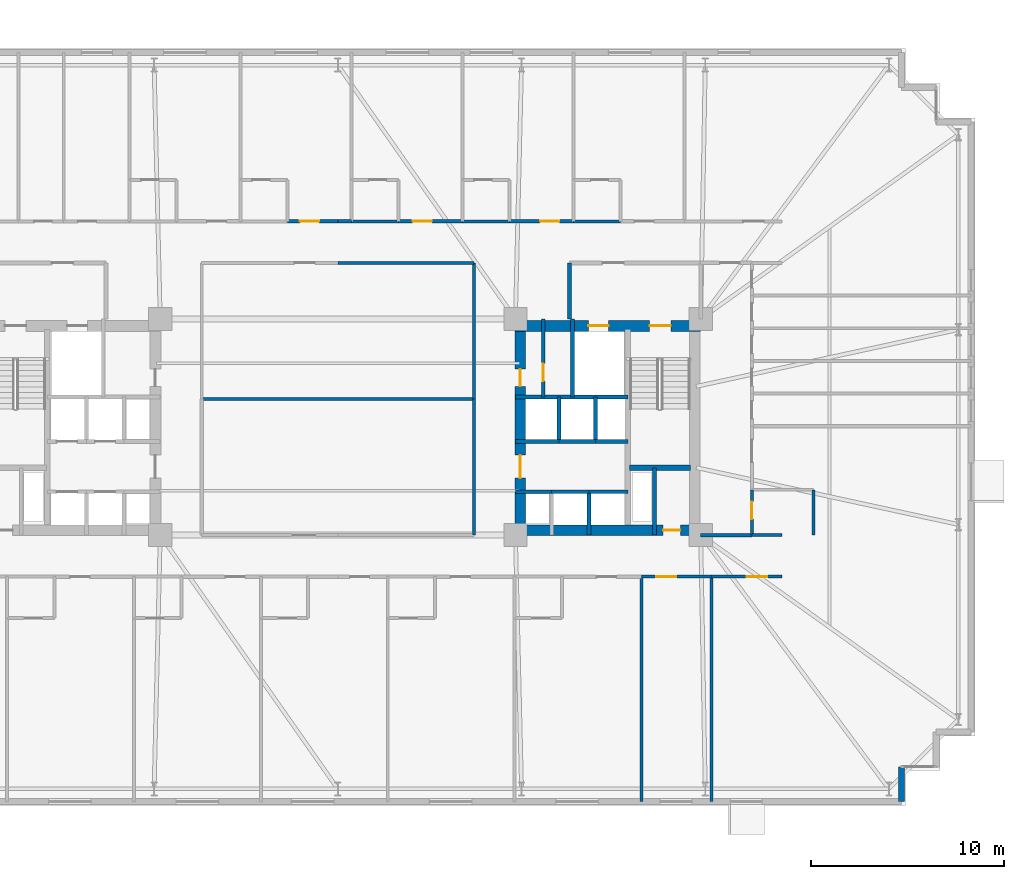
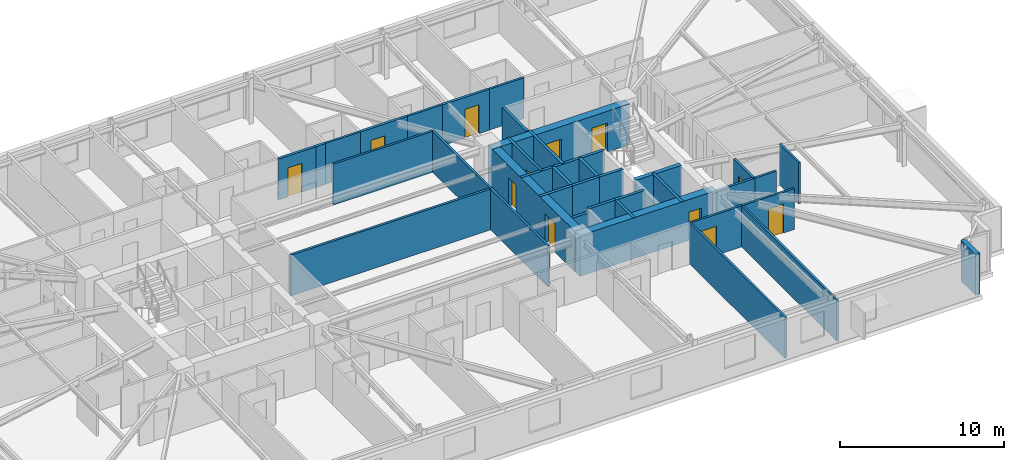
# One storey, part 17 of 21: 38 walls, 12 doors, 12 openings.
"""IFC4 building model written with IfcOpenShell, lengths in metres."""

from ifc_helpers import new_model, si_unit, direction, frame, frame_2d, origin, place, context, subcontext, project, spatial, rectangle, extrude, material, layer, layer_set, type_object, element, fill, save


model = new_model("IFC4")

# Units and contexts
model_context = context("Model", 3, precision=1e-05, world=origin(), true_north=direction((0.0, 1.0)))
body_context = subcontext(model_context, "Body", "Model", "MODEL_VIEW")
ifc_project = project(units=[si_unit("LENGTHUNIT", "METRE"), si_unit("AREAUNIT", "SQUARE_METRE"), si_unit("VOLUMEUNIT", "CUBIC_METRE"), si_unit("PLANEANGLEUNIT", "RADIAN"), si_unit("MASSUNIT", "GRAM", prefix="KILO")], contexts=[model_context])

# Site, building, storey
site_placement = place(None, origin())
site = spatial("IfcSite", under=ifc_project, at=site_placement, CompositionType="ELEMENT")
building_placement = place(site_placement, origin())
building = spatial("IfcBuilding", under=site, at=building_placement, Name="Qobustan Lattice House", CompositionType="ELEMENT")
storey_placement = place(building_placement, frame((0.0, 0.0, 57.14990234375)))
storey = spatial("IfcBuildingStorey", under=building, at=storey_placement, Name="L15", CompositionType="ELEMENT", Elevation=57.14990234375)

# Wall, openings, doors
ifc_material_1 = material(Name="Concrete C60/75", Category="concrete")
ifc_layer_1 = layer(ifc_material_1, 0.56005859375)
ifc_layer_set_1 = layer_set([ifc_layer_1], Name="Concrete C60/75")
wall_type_1 = type_object("IfcWallType", Name="WAL-CORE-600", PredefinedType="SHEAR", material=ifc_layer_set_1)
wall_1_placement = place(storey_placement, frame((9.199951171875, 5.239990234375, 0.0), z_axis=(0.0, 0.0, 1.0), x_axis=(1.0, 0.0, 0.0)))
wall_1 = element("IfcWall", 1, at=wall_1_placement, inside=storey, type_object=wall_type_1, Name="L15 split-core shear wall CE-N", PredefinedType="SHEAR", context=body_context, shape_type="SweptSolid", body=[
    extrude(rectangle(XDim=9.60009765625, YDim=0.56005859375, at=frame_2d((4.800048828125, 0.0))), origin(), (0.0, 0.0, 1.0), 3.03515625),
])
opening_1_placement = place(wall_1_placement, frame((6.949951171875, 0.0, 0.0)))
opening_1 = element("IfcOpeningElement", 2, at=opening_1_placement, cuts=wall_1, Name="Opening SD-01", PredefinedType="OPENING", context=body_context, shape_type="SweptSolid", body=[
    extrude(rectangle(XDim=1.10009765625, YDim=2.14990234375, at=frame_2d((0.550048828125, 1.074951171875))), frame((0.0, 0.2900390625, 0.0), z_axis=(0.0, -1.0, 0.0), x_axis=(1.0, 0.0, 0.0)), (0.0, 0.0, 1.0), 0.580078125),
])
opening_2_placement = place(wall_1_placement, frame((3.77490234375, 0.0, 0.0)))
opening_2 = element("IfcOpeningElement", 3, at=opening_2_placement, cuts=wall_1, Name="Opening LD-01", PredefinedType="OPENING", context=body_context, shape_type="SweptSolid", body=[
    extrude(rectangle(XDim=1.050048828125, YDim=2.10009765625, at=frame_2d((0.52490234375, 1.050048828125))), frame((0.0, 0.2900390625, 0.0), z_axis=(0.0, -1.0, 0.0), x_axis=(1.0, 0.0, 0.0)), (0.0, 0.0, 1.0), 0.580078125),
])
ifc_material_2 = material(Name="Persian walnut timber and steel frame door", Category="steel")
door_type_1 = type_object("IfcDoorType", Name="DOR-LIFT-LD-1050x2100", OperationType="NOTDEFINED", PredefinedType="DOOR", material=ifc_material_2)
door_1_placement = place(opening_2_placement, origin())
door_1 = element("IfcDoor", 4, at=door_1_placement, inside=storey, type_object=door_type_1, Name="L15 firefighting lift FF-E landing door", OperationType="DOUBLE_DOOR_SLIDING", OverallHeight=2.10009765625, OverallWidth=1.050048828125, PredefinedType="DOOR", context=body_context, shape_type="SweptSolid", body=[
    extrude(rectangle(XDim=1.050048828125, YDim=2.10009765625, at=frame_2d((0.52490234375, 1.050048828125))), frame((0.0, 0.02490234375, 0.0), z_axis=(0.0, -1.0, 0.0), x_axis=(1.0, 0.0, 0.0)), (0.0, 0.0, 1.0), 0.050048828125),
])
fill(opening_2, door_1)
ifc_material_3 = material(Name="Persian walnut timber and steel frame door", Category="steel")
door_type_2 = type_object("IfcDoorType", Name="DOR-STAIR-FD-1100x2150", OperationType="NOTDEFINED", PredefinedType="DOOR", material=ifc_material_3)
door_2_placement = place(opening_1_placement, origin())
door_2 = element("IfcDoor", 5, at=door_2_placement, inside=storey, type_object=door_type_2, Name="L15 exit stair ST-E1 fire door", OperationType="SINGLE_SWING_LEFT", OverallHeight=2.14990234375, OverallWidth=1.10009765625, PredefinedType="DOOR", context=body_context, shape_type="SweptSolid", body=[
    extrude(rectangle(XDim=1.10009765625, YDim=2.14990234375, at=frame_2d((0.550048828125, 1.074951171875))), frame((0.0, 0.02490234375, 0.0), z_axis=(0.0, -1.0, 0.0), x_axis=(1.0, 0.0, 0.0)), (0.0, 0.0, 1.0), 0.050048828125),
])
fill(opening_1, door_2)

# Wall, opening, door
wall_2_placement = place(storey_placement, frame((9.199951171875, -5.35009765625, 0.0), z_axis=(0.0, 0.0, 1.0), x_axis=(1.0, 0.0, 0.0)))
wall_2 = element("IfcWall", 6, at=wall_2_placement, inside=storey, type_object=wall_type_1, Name="L15 split-core shear wall CE-S", PredefinedType="SHEAR", context=body_context, shape_type="SweptSolid", body=[
    extrude(rectangle(XDim=9.60009765625, YDim=0.56005859375, at=frame_2d((4.800048828125, 0.0))), origin(), (0.0, 0.0, 1.0), 3.03515625),
])
opening_3_placement = place(wall_2_placement, frame((7.64990234375, 0.0, 0.0)))
opening_3 = element("IfcOpeningElement", 7, at=opening_3_placement, cuts=wall_2, Name="Opening RD-01", PredefinedType="OPENING", context=body_context, shape_type="SweptSolid", body=[
    extrude(rectangle(XDim=0.89990234375, YDim=2.10009765625, at=frame_2d((0.449951171875, 1.050048828125))), frame((0.0, 0.2900390625, 0.0), z_axis=(0.0, -1.0, 0.0), x_axis=(1.0, 0.0, 0.0)), (0.0, 0.0, 1.0), 0.580078125),
])
ifc_material_4 = material(Name="Persian walnut timber and steel frame door", Category="steel")
door_type_3 = type_object("IfcDoorType", Name="DOR-RISER-FD-900x2100", OperationType="NOTDEFINED", PredefinedType="DOOR", material=ifc_material_4)
door_3_placement = place(opening_3_placement, origin())
door_3 = element("IfcDoor", 8, at=door_3_placement, inside=storey, type_object=door_type_3, Name="L15 core service riser access door E", OperationType="SINGLE_SWING_LEFT", OverallHeight=2.10009765625, OverallWidth=0.89990234375, PredefinedType="DOOR", context=body_context, shape_type="SweptSolid", body=[
    extrude(rectangle(XDim=0.89990234375, YDim=2.10009765625, at=frame_2d((0.449951171875, 1.050048828125))), frame((0.0, 0.02490234375, 0.0), z_axis=(0.0, -1.0, 0.0), x_axis=(1.0, 0.0, 0.0)), (0.0, 0.0, 1.0), 0.050048828125),
])
fill(opening_3, door_3)

# Wall, openings, doors
wall_3_placement = place(storey_placement, frame((9.449951171875, -5.050048828125, 0.0), z_axis=(0.0, 0.0, 1.0), x_axis=(0.0, 1.0, 0.0)))
wall_3 = element("IfcWall", 9, at=wall_3_placement, inside=storey, type_object=wall_type_1, Name="L15 split-core shear wall CE-W", PredefinedType="SHEAR", context=body_context, shape_type="SweptSolid", body=[
    extrude(rectangle(XDim=10.10009765625, YDim=0.56005859375, at=frame_2d((5.050048828125, 0.0))), origin(), (0.0, 0.0, 1.0), 3.03515625),
])
opening_4_placement = place(wall_3_placement, frame((7.14990234375, 0.0, 0.0)))
opening_4 = element("IfcOpeningElement", 10, at=opening_4_placement, cuts=wall_3, Name="Opening RD-01", PredefinedType="OPENING", context=body_context, shape_type="SweptSolid", body=[
    extrude(rectangle(XDim=0.89990234375, YDim=2.10009765625, at=frame_2d((0.449951171875, 1.050048828125))), frame((0.0, 0.2900390625, 0.0), z_axis=(0.0, -1.0, 0.0), x_axis=(1.0, 0.0, 0.0)), (0.0, 0.0, 1.0), 0.580078125),
])
opening_5_placement = place(wall_3_placement, frame((2.39990234375, 0.0, 0.0)))
opening_5 = element("IfcOpeningElement", 11, at=opening_5_placement, cuts=wall_3, Name="Opening FD-01", PredefinedType="OPENING", context=body_context, shape_type="SweptSolid", body=[
    extrude(rectangle(XDim=1.199951171875, YDim=2.14990234375, at=frame_2d((0.60009765625, 1.074951171875))), frame((0.0, 0.2900390625, 0.0), z_axis=(0.0, -1.0, 0.0), x_axis=(1.0, 0.0, 0.0)), (0.0, 0.0, 1.0), 0.580078125),
])
ifc_material_5 = material(Name="Persian walnut timber and steel frame door", Category="steel")
door_type_4 = type_object("IfcDoorType", Name="DOR-LOBBY-FD-1200x2150", OperationType="NOTDEFINED", PredefinedType="DOOR", material=ifc_material_5)
door_4_placement = place(opening_5_placement, origin())
door_4 = element("IfcDoor", 12, at=door_4_placement, inside=storey, type_object=door_type_4, Name="L15 East passenger lift lobby fire door", OperationType="SINGLE_SWING_RIGHT", OverallHeight=2.14990234375, OverallWidth=1.199951171875, PredefinedType="DOOR", context=body_context, shape_type="SweptSolid", body=[
    extrude(rectangle(XDim=1.199951171875, YDim=2.14990234375, at=frame_2d((0.60009765625, 1.074951171875))), frame((0.0, 0.02490234375, 0.0), z_axis=(0.0, -1.0, 0.0), x_axis=(1.0, 0.0, 0.0)), (0.0, 0.0, 1.0), 0.050048828125),
])
fill(opening_5, door_4)
door_5_placement = place(opening_4_placement, origin())
door_5 = element("IfcDoor", 13, at=door_5_placement, inside=storey, type_object=door_type_3, Name="L15 Print and mail closet fire door", OperationType="SINGLE_SWING_LEFT", OverallHeight=2.10009765625, OverallWidth=0.89990234375, PredefinedType="DOOR", context=body_context, shape_type="SweptSolid", body=[
    extrude(rectangle(XDim=0.89990234375, YDim=2.10009765625, at=frame_2d((0.449951171875, 1.050048828125))), frame((0.0, 0.02490234375, 0.0), z_axis=(0.0, -1.0, 0.0), x_axis=(1.0, 0.0, 0.0)), (0.0, 0.0, 1.0), 0.050048828125),
])
fill(opening_4, door_5)

# Walls
ifc_material_6 = material(Name="Concrete C50/60", Category="concrete")
ifc_layer_2 = layer(ifc_material_6, 0.280029296875)
ifc_layer_set_2 = layer_set([ifc_layer_2], Name="Concrete C50/60")
wall_type_2 = type_object("IfcWallType", Name="WAL-CORE-SPINE-280", PredefinedType="SHEAR", material=ifc_layer_set_2)
wall_4_placement = place(storey_placement, frame((15.10009765625, -2.110107421875, 0.0), z_axis=(0.0, 0.0, 1.0), x_axis=(1.0, 0.0, 0.0)))
element("IfcWall", 14, at=wall_4_placement, inside=storey, type_object=wall_type_2, Name="L15 split-core shear wall CE-ST", PredefinedType="SHEAR", context=body_context, shape_type="SweptSolid", body=[
    extrude(rectangle(XDim=3.179931640625, YDim=0.300048828125, at=frame_2d((1.58984375, 0.0))), origin(), (0.0, 0.0, 1.0), 3.03515625),
])
ifc_material_7 = material(Name="Precast concrete C40/50", Category="concrete")
ifc_layer_3 = layer(ifc_material_7, 0.320068359375)
ifc_layer_set_3 = layer_set([ifc_layer_3], Name="Precast concrete C40/50")
wall_type_3 = type_object("IfcWallType", Name="WAL-EXT-STONE-320", PredefinedType="SOLIDWALL", material=ifc_layer_set_3)
wall_5_placement = place(storey_placement, frame((29.199951171875, -17.60009765625, 0.0), z_axis=(0.0, 0.0, 1.0), x_axis=(0.0, -1.0, 0.0)))
element("IfcWall", 15, at=wall_5_placement, inside=storey, type_object=wall_type_3, Name="L15 exterior limestone-clad wall 19", PredefinedType="SOLIDWALL", context=body_context, shape_type="SweptSolid", body=[
    extrude(rectangle(XDim=1.7998046875, YDim=0.320068359375, at=frame_2d((0.89990234375, 0.0))), origin(), (0.0, 0.0, 1.0), 3.03515625),
])

# Wall, opening, door
ifc_material_8 = material(Name="Gypsum fireboard acoustic partition", Category="gypsum")
ifc_layer_4 = layer(ifc_material_8, 0.179931640625)
ifc_layer_set_4 = layer_set([ifc_layer_4], Name="Gypsum fireboard acoustic partition")
wall_type_4 = type_object("IfcWallType", Name="WAL-FIRE-180", PredefinedType="PARTITIONING", material=ifc_layer_set_4)
wall_6_placement = place(storey_placement, frame((10.64990234375, 1.550048828125, 0.0), z_axis=(0.0, 0.0, 1.0), x_axis=(0.0, 1.0, 0.0)))
wall_6 = element("IfcWall", 16, at=wall_6_placement, inside=storey, type_object=wall_type_4, Name="L15 interior partition 23", PredefinedType="PARTITIONING", context=body_context, shape_type="SweptSolid", body=[
    extrude(rectangle(XDim=4.050048828125, YDim=0.179931640625, at=frame_2d((2.02490234375, 0.0))), origin(), (0.0, 0.0, 1.0), 3.03515625),
])
opening_6_placement = place(wall_6_placement, frame((0.828857421875, 0.0, 0.0)))
opening_6 = element("IfcOpeningElement", 17, at=opening_6_placement, cuts=wall_6, Name="Opening RD-01", PredefinedType="OPENING", context=body_context, shape_type="SweptSolid", body=[
    extrude(rectangle(XDim=0.89990234375, YDim=2.10009765625, at=frame_2d((0.449951171875, 1.050048828125))), frame((0.0, 0.099853515625, 0.0), z_axis=(0.0, -1.0, 0.0), x_axis=(1.0, 0.0, 0.0)), (0.0, 0.0, 1.0), 0.199951171875),
])
door_6_placement = place(opening_6_placement, origin())
door_6 = element("IfcDoor", 18, at=door_6_placement, inside=storey, type_object=door_type_3, Name="L15 Print and mail closet to Core utility store door", OperationType="SINGLE_SWING_RIGHT", OverallHeight=2.10009765625, OverallWidth=0.89990234375, PredefinedType="DOOR", context=body_context, shape_type="SweptSolid", body=[
    extrude(rectangle(XDim=0.89990234375, YDim=2.10009765625, at=frame_2d((0.449951171875, 1.050048828125))), frame((0.0, 0.02490234375, 0.0), z_axis=(0.0, -1.0, 0.0), x_axis=(1.0, 0.0, 0.0)), (0.0, 0.0, 1.0), 0.050048828125),
])
fill(opening_6, door_6)

wall_7_placement = place(storey_placement, frame((-2.60009765625, 10.64990234375, 0.0), z_axis=(0.0, 0.0, 1.0), x_axis=(1.0, 0.0, 0.0)))
wall_7 = element("IfcWall", 19, at=wall_7_placement, inside=storey, type_object=wall_type_4, Name="L15 interior partition 43", PredefinedType="PARTITIONING", context=body_context, shape_type="SweptSolid", body=[
    extrude(rectangle(XDim=2.60009765625, YDim=0.179931640625, at=frame_2d((1.300048828125, 0.0))), origin(), (0.0, 0.0, 1.0), 3.03515625),
])
opening_7_placement = place(wall_7_placement, frame((0.635009765625, 0.0, 0.0)))
opening_7 = element("IfcOpeningElement", 20, at=opening_7_placement, cuts=wall_7, Name="Opening FD-02", PredefinedType="OPENING", context=body_context, shape_type="SweptSolid", body=[
    extrude(rectangle(XDim=1.0, YDim=2.14990234375, at=frame_2d((0.5, 1.074951171875))), frame((0.0, 0.099853515625, 0.0), z_axis=(0.0, -1.0, 0.0), x_axis=(1.0, 0.0, 0.0)), (0.0, 0.0, 1.0), 0.199951171875),
])
ifc_material_9 = material(Name="Persian walnut timber and steel frame door", Category="steel")
door_type_5 = type_object("IfcDoorType", Name="DOR-UNIT-FD-1000x2150", OperationType="NOTDEFINED", PredefinedType="DOOR", material=ifc_material_9)
door_7_placement = place(opening_7_placement, origin())
door_7 = element("IfcDoor", 21, at=door_7_placement, inside=storey, type_object=door_type_5, Name="L15 North-west floor corridor to Kitchenette and studio apartment L15-N4 door", OperationType="SINGLE_SWING_RIGHT", OverallHeight=2.14990234375, OverallWidth=1.0, PredefinedType="DOOR", context=body_context, shape_type="SweptSolid", body=[
    extrude(rectangle(XDim=1.0, YDim=2.14990234375, at=frame_2d((0.5, 1.074951171875))), frame((0.0, 0.02490234375, 0.0), z_axis=(0.0, -1.0, 0.0), x_axis=(1.0, 0.0, 0.0)), (0.0, 0.0, 1.0), 0.050048828125),
])
fill(opening_7, door_7)

# Wall
wall_8_placement = place(storey_placement, frame((0.0, 10.64990234375, 0.0), z_axis=(0.0, 0.0, 1.0), x_axis=(1.0, 0.0, 0.0)))
element("IfcWall", 22, at=wall_8_placement, inside=storey, type_object=wall_type_4, Name="L15 interior partition 48", PredefinedType="PARTITIONING", context=body_context, shape_type="SweptSolid", body=[
    extrude(rectangle(XDim=0.699951171875, YDim=0.179931640625, at=frame_2d((0.35009765625, 0.0))), origin(), (0.0, 0.0, 1.0), 3.03515625),
])

# Wall, opening, door
wall_9_placement = place(storey_placement, frame((3.14990234375, 10.64990234375, 0.0), z_axis=(0.0, 0.0, 1.0), x_axis=(1.0, 0.0, 0.0)))
wall_9 = element("IfcWall", 23, at=wall_9_placement, inside=storey, type_object=wall_type_4, Name="L15 interior partition 49", PredefinedType="PARTITIONING", context=body_context, shape_type="SweptSolid", body=[
    extrude(rectangle(XDim=3.300048828125, YDim=0.179931640625, at=frame_2d((1.64990234375, 0.0))), origin(), (0.0, 0.0, 1.0), 3.03515625),
])
opening_8_placement = place(wall_9_placement, frame((0.722412109375, 0.0, 0.0)))
opening_8 = element("IfcOpeningElement", 24, at=opening_8_placement, cuts=wall_9, Name="Opening FD-02", PredefinedType="OPENING", context=body_context, shape_type="SweptSolid", body=[
    extrude(rectangle(XDim=1.0, YDim=2.14990234375, at=frame_2d((0.5, 1.074951171875))), frame((0.0, 0.099853515625, 0.0), z_axis=(0.0, -1.0, 0.0), x_axis=(1.0, 0.0, 0.0)), (0.0, 0.0, 1.0), 0.199951171875),
])
door_8_placement = place(opening_8_placement, origin())
door_8 = element("IfcDoor", 25, at=door_8_placement, inside=storey, type_object=door_type_5, Name="L15 North-east floor corridor to Kitchenette and studio apartment L15-N5 door", OperationType="SINGLE_SWING_LEFT", OverallHeight=2.14990234375, OverallWidth=1.0, PredefinedType="DOOR", context=body_context, shape_type="SweptSolid", body=[
    extrude(rectangle(XDim=1.0, YDim=2.14990234375, at=frame_2d((0.5, 1.074951171875))), frame((0.0, 0.02490234375, 0.0), z_axis=(0.0, -1.0, 0.0), x_axis=(1.0, 0.0, 0.0)), (0.0, 0.0, 1.0), 0.050048828125),
])
fill(opening_8, door_8)

wall_10_placement = place(storey_placement, frame((8.89990234375, 10.64990234375, 0.0), z_axis=(0.0, 0.0, 1.0), x_axis=(1.0, 0.0, 0.0)))
wall_10 = element("IfcWall", 26, at=wall_10_placement, inside=storey, type_object=wall_type_4, Name="L15 interior partition 51", PredefinedType="PARTITIONING", context=body_context, shape_type="SweptSolid", body=[
    extrude(rectangle(XDim=3.300048828125, YDim=0.179931640625, at=frame_2d((1.64990234375, 0.0))), origin(), (0.0, 0.0, 1.0), 3.03515625),
])
opening_9_placement = place(wall_10_placement, frame((1.577392578125, 0.0, 0.0)))
opening_9 = element("IfcOpeningElement", 27, at=opening_9_placement, cuts=wall_10, Name="Opening FD-02", PredefinedType="OPENING", context=body_context, shape_type="SweptSolid", body=[
    extrude(rectangle(XDim=1.0, YDim=2.14990234375, at=frame_2d((0.5, 1.074951171875))), frame((0.0, 0.099853515625, 0.0), z_axis=(0.0, -1.0, 0.0), x_axis=(1.0, 0.0, 0.0)), (0.0, 0.0, 1.0), 0.199951171875),
])
door_9_placement = place(opening_9_placement, origin())
door_9 = element("IfcDoor", 28, at=door_9_placement, inside=storey, type_object=door_type_5, Name="L15 North-east floor corridor to Kitchenette and studio apartment L15-N6 door", OperationType="SINGLE_SWING_RIGHT", OverallHeight=2.14990234375, OverallWidth=1.0, PredefinedType="DOOR", context=body_context, shape_type="SweptSolid", body=[
    extrude(rectangle(XDim=1.0, YDim=2.14990234375, at=frame_2d((0.5, 1.074951171875))), frame((0.0, 0.02490234375, 0.0), z_axis=(0.0, -1.0, 0.0), x_axis=(1.0, 0.0, 0.0)), (0.0, 0.0, 1.0), 0.050048828125),
])
fill(opening_9, door_9)

# Walls
wall_11_placement = place(storey_placement, frame((18.800048828125, -5.60009765625, 0.0), z_axis=(0.0, 0.0, 1.0), x_axis=(1.0, 0.0, 0.0)))
element("IfcWall", 29, at=wall_11_placement, inside=storey, type_object=wall_type_4, Name="L15 interior partition 67", PredefinedType="PARTITIONING", context=body_context, shape_type="SweptSolid", body=[
    extrude(rectangle(XDim=2.64990234375, YDim=0.179931640625, at=frame_2d((1.324951171875, 0.0))), origin(), (0.0, 0.0, 1.0), 3.03515625),
])
ifc_material_10 = material(Name="Acoustic twin-stud gypsum partition", Category="gypsum")
ifc_layer_5 = layer(ifc_material_10, 0.14990234375)
ifc_layer_set_5 = layer_set([ifc_layer_5], Name="Acoustic twin-stud gypsum partition")
wall_type_5 = type_object("IfcWallType", Name="WAL-PART-150", PredefinedType="PARTITIONING", material=ifc_layer_set_5)
wall_12_placement = place(storey_placement, frame((7.050048828125, 8.5, 0.0), z_axis=(0.0, 0.0, 1.0), x_axis=(-1.0, 0.0, 0.0)))
element("IfcWall", 30, at=wall_12_placement, inside=storey, type_object=wall_type_5, Name="L15 interior partition 56", PredefinedType="PARTITIONING", context=body_context, shape_type="SweptSolid", body=[
    extrude(rectangle(XDim=7.050048828125, YDim=0.14990234375, at=frame_2d((3.52490234375, 0.0))), origin(), (0.0, 0.0, 1.0), 3.03515625),
])

# Wall, opening, door
wall_13_placement = place(storey_placement, frame((19.364501953125, -7.75, 0.0), z_axis=(0.0, 0.0, 1.0), x_axis=(-1.0, 0.0, 0.0)))
wall_13 = element("IfcWall", 31, at=wall_13_placement, inside=storey, type_object=wall_type_5, Name="L15 interior partition 74", PredefinedType="PARTITIONING", context=body_context, shape_type="SweptSolid", body=[
    extrude(rectangle(XDim=3.635498046875, YDim=0.14990234375, at=frame_2d((1.81787109375, 0.0))), origin(), (0.0, 0.0, 1.0), 3.03515625),
])
opening_10_placement = place(wall_13_placement, frame((1.827392578125, 0.0, 0.0)))
opening_10 = element("IfcOpeningElement", 32, at=opening_10_placement, cuts=wall_13, Name="Opening ID-02", PredefinedType="OPENING", context=body_context, shape_type="SweptSolid", body=[
    extrude(rectangle(XDim=1.050048828125, YDim=2.14990234375, at=frame_2d((0.52490234375, 1.074951171875))), frame((0.0, 0.0849609375, 0.0), z_axis=(0.0, -1.0, 0.0), x_axis=(1.0, 0.0, 0.0)), (0.0, 0.0, 1.0), 0.169921875),
])
ifc_material_11 = material(Name="Persian walnut timber and steel frame door", Category="steel")
door_type_6 = type_object("IfcDoorType", Name="DOR-STUDY-1050x2150", OperationType="NOTDEFINED", PredefinedType="DOOR", material=ifc_material_11)
door_10_placement = place(opening_10_placement, origin())
door_10 = element("IfcDoor", 33, at=door_10_placement, inside=storey, type_object=door_type_6, Name="L15 South-east floor corridor to Group study room door", OperationType="SINGLE_SWING_RIGHT", OverallHeight=2.14990234375, OverallWidth=1.050048828125, PredefinedType="DOOR", context=body_context, shape_type="SweptSolid", body=[
    extrude(rectangle(XDim=1.050048828125, YDim=2.14990234375, at=frame_2d((0.52490234375, 1.074951171875))), frame((0.0, 0.02490234375, 0.0), z_axis=(0.0, -1.0, 0.0), x_axis=(1.0, 0.0, 0.0)), (0.0, 0.0, 1.0), 0.050048828125),
])
fill(opening_10, door_10)

wall_14_placement = place(storey_placement, frame((23.0, -7.75, 0.0), z_axis=(0.0, 0.0, 1.0), x_axis=(-1.0, 0.0, 0.0)))
wall_14 = element("IfcWall", 34, at=wall_14_placement, inside=storey, type_object=wall_type_5, Name="L15 interior partition 75", PredefinedType="PARTITIONING", context=body_context, shape_type="SweptSolid", body=[
    extrude(rectangle(XDim=3.635498046875, YDim=0.14990234375, at=frame_2d((1.81787109375, 0.0))), origin(), (0.0, 0.0, 1.0), 3.03515625),
])
opening_11_placement = place(wall_14_placement, frame((0.75830078125, 0.0, 0.0)))
opening_11 = element("IfcOpeningElement", 35, at=opening_11_placement, cuts=wall_14, Name="Opening ID-02", PredefinedType="OPENING", context=body_context, shape_type="SweptSolid", body=[
    extrude(rectangle(XDim=1.050048828125, YDim=2.14990234375, at=frame_2d((0.52490234375, 1.074951171875))), frame((0.0, 0.0849609375, 0.0), z_axis=(0.0, -1.0, 0.0), x_axis=(1.0, 0.0, 0.0)), (0.0, 0.0, 1.0), 0.169921875),
])
door_11_placement = place(opening_11_placement, origin())
door_11 = element("IfcDoor", 36, at=door_11_placement, inside=storey, type_object=door_type_6, Name="L15 South-east floor corridor to Academic seminar room door", OperationType="SINGLE_SWING_LEFT", OverallHeight=2.14990234375, OverallWidth=1.050048828125, PredefinedType="DOOR", context=body_context, shape_type="SweptSolid", body=[
    extrude(rectangle(XDim=1.050048828125, YDim=2.14990234375, at=frame_2d((0.52490234375, 1.074951171875))), frame((0.0, 0.02490234375, 0.0), z_axis=(0.0, -1.0, 0.0), x_axis=(1.0, 0.0, 0.0)), (0.0, 0.0, 1.0), 0.050048828125),
])
fill(opening_11, door_11)

# Walls
wall_15_placement = place(storey_placement, frame((7.050048828125, 1.449951171875, 0.0), z_axis=(0.0, 0.0, 1.0), x_axis=(0.0, 1.0, 0.0)))
element("IfcWall", 37, at=wall_15_placement, inside=storey, type_object=wall_type_5, Name="L15 interior partition 80", PredefinedType="PARTITIONING", context=body_context, shape_type="SweptSolid", body=[
    extrude(rectangle(XDim=7.050048828125, YDim=0.14990234375, at=frame_2d((3.52490234375, 0.0))), origin(), (0.0, 0.0, 1.0), 3.03515625),
])
for number, where, z_axis, x_axis, name in (
    (38, (15.72900390625, -7.75, 0.0), (0.0, 0.0, 1.0), (0.0, -1.0, 0.0), "L15 interior partition 152"),
    (39, (19.364501953125, -7.75, 0.0), (0.0, 0.0, 1.0), (0.0, -1.0, 0.0), "L15 interior partition 153"),
):
    element("IfcWall", number, at=place(storey_placement, frame(where, z_axis=z_axis, x_axis=x_axis)), inside=storey, type_object=wall_type_5, Name=name, PredefinedType="PARTITIONING", context=body_context, shape_type="SweptSolid", body=[
        extrude(rectangle(XDim=11.64990234375, YDim=0.14990234375, at=frame_2d((5.824951171875, 0.0))), origin(), (0.0, 0.0, 1.0), 3.03515625),
    ])
ifc_material_12 = material(Name="High-mass acoustic twin-stud partition", Category="gypsum")
ifc_layer_6 = layer(ifc_material_12, 0.1650390625)
ifc_layer_set_6 = layer_set([ifc_layer_6], Name="High-mass acoustic twin-stud partition")
wall_type_6 = type_object("IfcWallType", Name="WAL-PART-165", PredefinedType="PARTITIONING", material=ifc_layer_set_6)
wall_16_placement = place(storey_placement, frame((7.050048828125, -5.60009765625, 0.0), z_axis=(0.0, 0.0, 1.0), x_axis=(0.0, 1.0, 0.0)))
element("IfcWall", 40, at=wall_16_placement, inside=storey, type_object=wall_type_6, Name="L15 interior partition 79", PredefinedType="PARTITIONING", context=body_context, shape_type="SweptSolid", body=[
    extrude(rectangle(XDim=7.050048828125, YDim=0.1650390625, at=frame_2d((3.52490234375, 0.0))), origin(), (0.0, 0.0, 1.0), 3.03515625),
])
wall_17_placement = place(storey_placement, frame((-7.050048828125, 1.449951171875, 0.0), z_axis=(0.0, 0.0, 1.0), x_axis=(1.0, 0.0, 0.0)))
element("IfcWall", 41, at=wall_17_placement, inside=storey, type_object=wall_type_6, Name="L15 interior partition 154", PredefinedType="PARTITIONING", context=body_context, shape_type="SweptSolid", body=[
    extrude(rectangle(XDim=14.10009765625, YDim=0.1650390625, at=frame_2d((7.050048828125, 0.0))), origin(), (0.0, 0.0, 1.0), 3.03515625),
])
ifc_material_13 = material(Name="Two-hour gypsum fireboard acoustic partition", Category="gypsum")
ifc_layer_7 = layer(ifc_material_13, 0.199951171875)
ifc_layer_set_7 = layer_set([ifc_layer_7], Name="Two-hour gypsum fireboard acoustic partition")
wall_type_7 = type_object("IfcWallType", Name="WAL-PROT-200", PredefinedType="PARTITIONING", material=ifc_layer_set_7)
wall_18_placement = place(storey_placement, frame((12.0, 8.5, 0.0), z_axis=(0.0, 0.0, 1.0), x_axis=(0.0, -1.0, 0.0)))
element("IfcWall", 42, at=wall_18_placement, inside=storey, type_object=wall_type_7, Name="L15 interior partition 21", PredefinedType="PARTITIONING", context=body_context, shape_type="SweptSolid", body=[
    extrude(rectangle(XDim=2.89990234375, YDim=0.199951171875, at=frame_2d((1.449951171875, 0.0))), origin(), (0.0, 0.0, 1.0), 3.03515625),
])
ifc_material_14 = material(Name="Concrete C40/50", Category="concrete")
ifc_layer_8 = layer(ifc_material_14, 0.199951171875)
ifc_layer_set_8 = layer_set([ifc_layer_8], Name="Concrete C40/50")
wall_type_8 = type_object("IfcWallType", Name="WAL-SHAFT-200", PredefinedType="PARTITIONING", material=ifc_layer_set_8)
wall_19_placement = place(storey_placement, frame((16.39990234375, -2.110107421875, 0.0), z_axis=(0.0, 0.0, 1.0), x_axis=(0.0, -1.0, 0.0)))
element("IfcWall", 43, at=wall_19_placement, inside=storey, type_object=wall_type_8, Name="L15 interior partition 18", PredefinedType="PARTITIONING", context=body_context, shape_type="SweptSolid", body=[
    extrude(rectangle(XDim=3.489990234375, YDim=0.199951171875, at=frame_2d((1.7451171875, 0.0))), origin(), (0.0, 0.0, 1.0), 3.03515625),
])
wall_20_placement = place(storey_placement, frame((12.14990234375, 5.60009765625, 0.0), z_axis=(0.0, 0.0, 1.0), x_axis=(0.0, -1.0, 0.0)))
element("IfcWall", 44, at=wall_20_placement, inside=storey, type_object=wall_type_8, Name="L15 interior partition 19", PredefinedType="PARTITIONING", context=body_context, shape_type="SweptSolid", body=[
    extrude(rectangle(XDim=4.050048828125, YDim=0.199951171875, at=frame_2d((2.02490234375, 0.0))), origin(), (0.0, 0.0, 1.0), 3.03515625),
])
wall_21_placement = place(storey_placement, frame((9.199951171875, -3.35009765625, 0.0), z_axis=(0.0, 0.0, 1.0), x_axis=(1.0, 0.0, 0.0)))
element("IfcWall", 45, at=wall_21_placement, inside=storey, type_object=wall_type_8, Name="L15 interior partition 25", PredefinedType="PARTITIONING", context=body_context, shape_type="SweptSolid", body=[
    extrude(rectangle(XDim=1.880126953125, YDim=0.199951171875, at=frame_2d((0.93994140625, 0.0))), origin(), (0.0, 0.0, 1.0), 2.75),
])
wall_22_placement = place(storey_placement, frame((11.080078125, -3.35009765625, 0.0), z_axis=(0.0, 0.0, 1.0), x_axis=(1.0, 0.0, 0.0)))
element("IfcWall", 46, at=wall_22_placement, inside=storey, type_object=wall_type_8, Name="L15 interior partition 26", PredefinedType="PARTITIONING", context=body_context, shape_type="SweptSolid", body=[
    extrude(rectangle(XDim=1.93994140625, YDim=0.199951171875, at=frame_2d((0.969970703125, 0.0))), origin(), (0.0, 0.0, 1.0), 3.03515625),
])
wall_23_placement = place(storey_placement, frame((13.02001953125, -3.35009765625, 0.0), z_axis=(0.0, 0.0, 1.0), x_axis=(1.0, 0.0, 0.0)))
element("IfcWall", 47, at=wall_23_placement, inside=storey, type_object=wall_type_8, Name="L15 interior partition 27", PredefinedType="PARTITIONING", context=body_context, shape_type="SweptSolid", body=[
    extrude(rectangle(XDim=2.0, YDim=0.199951171875, at=frame_2d((1.0, 0.0))), origin(), (0.0, 0.0, 1.0), 3.03515625),
])
wall_24_placement = place(storey_placement, frame((11.4599609375, -0.75, 0.0), z_axis=(0.0, 0.0, 1.0), x_axis=(-1.0, 0.0, 0.0)))
element("IfcWall", 48, at=wall_24_placement, inside=storey, type_object=wall_type_8, Name="L15 interior partition 28", PredefinedType="PARTITIONING", context=body_context, shape_type="SweptSolid", body=[
    extrude(rectangle(XDim=2.260009765625, YDim=0.199951171875, at=frame_2d((1.1298828125, 0.0))), origin(), (0.0, 0.0, 1.0), 3.03515625),
])
wall_25_placement = place(storey_placement, frame((13.340087890625, -0.75, 0.0), z_axis=(0.0, 0.0, 1.0), x_axis=(-1.0, 0.0, 0.0)))
element("IfcWall", 49, at=wall_25_placement, inside=storey, type_object=wall_type_8, Name="L15 interior partition 29", PredefinedType="PARTITIONING", context=body_context, shape_type="SweptSolid", body=[
    extrude(rectangle(XDim=1.880126953125, YDim=0.199951171875, at=frame_2d((0.93994140625, 0.0))), origin(), (0.0, 0.0, 1.0), 3.03515625),
])
wall_26_placement = place(storey_placement, frame((15.02001953125, -0.75, 0.0), z_axis=(0.0, 0.0, 1.0), x_axis=(-1.0, 0.0, 0.0)))
element("IfcWall", 50, at=wall_26_placement, inside=storey, type_object=wall_type_8, Name="L15 interior partition 30", PredefinedType="PARTITIONING", context=body_context, shape_type="SweptSolid", body=[
    extrude(rectangle(XDim=1.679931640625, YDim=0.199951171875, at=frame_2d((0.83984375, 0.0))), origin(), (0.0, 0.0, 1.0), 3.03515625),
])
wall_27_placement = place(storey_placement, frame((13.02001953125, -5.60009765625, 0.0), z_axis=(0.0, 0.0, 1.0), x_axis=(0.0, 1.0, 0.0)))
element("IfcWall", 51, at=wall_27_placement, inside=storey, type_object=wall_type_8, Name="L15 interior partition 33", PredefinedType="PARTITIONING", context=body_context, shape_type="SweptSolid", body=[
    extrude(rectangle(XDim=2.25, YDim=0.199951171875, at=frame_2d((1.125, 0.0))), origin(), (0.0, 0.0, 1.0), 3.03515625),
])
for number, where, z_axis, x_axis, name in (
    (52, (11.4599609375, -0.75, 0.0), (0.0, 0.0, 1.0), (0.0, 1.0, 0.0), "L15 interior partition 34"),
    (53, (13.340087890625, -0.75, 0.0), (0.0, 0.0, 1.0), (0.0, 1.0, 0.0), "L15 interior partition 35"),
):
    element("IfcWall", number, at=place(storey_placement, frame(where, z_axis=z_axis, x_axis=x_axis)), inside=storey, type_object=wall_type_8, Name=name, PredefinedType="PARTITIONING", context=body_context, shape_type="SweptSolid", body=[
        extrude(rectangle(XDim=2.300048828125, YDim=0.199951171875, at=frame_2d((1.14990234375, 0.0))), origin(), (0.0, 0.0, 1.0), 3.03515625),
    ])
wall_28_placement = place(storey_placement, frame((9.199951171875, 1.550048828125, 0.0), z_axis=(0.0, 0.0, 1.0), x_axis=(1.0, 0.0, 0.0)))
element("IfcWall", 54, at=wall_28_placement, inside=storey, type_object=wall_type_8, Name="L15 interior partition 156", PredefinedType="PARTITIONING", context=body_context, shape_type="SweptSolid", body=[
    extrude(rectangle(XDim=5.820068359375, YDim=0.199951171875, at=frame_2d((2.91015625, 0.0))), origin(), (0.0, 0.0, 1.0), 3.03515625),
])
ifc_material_15 = material(Name="Moisture-resistant acoustic plumbing wall", Category="gypsum")
ifc_layer_9 = layer(ifc_material_15, 0.14990234375)
ifc_layer_set_9 = layer_set([ifc_layer_9], Name="Moisture-resistant acoustic plumbing wall")
wall_type_9 = type_object("IfcWallType", Name="WAL-WET-150", PredefinedType="PLUMBINGWALL", material=ifc_layer_set_9)
for number, where, z_axis, x_axis, name in (
    (55, (0.699951171875, 10.64990234375, 0.0), (0.0, 0.0, 1.0), (1.0, 0.0, 0.0), "L15 interior partition 50"),
    (56, (6.449951171875, 10.64990234375, 0.0), (0.0, 0.0, 1.0), (1.0, 0.0, 0.0), "L15 interior partition 52"),
    (57, (12.199951171875, 10.64990234375, 0.0), (0.0, 0.0, 1.0), (1.0, 0.0, 0.0), "L15 interior partition 54"),
):
    element("IfcWall", number, at=place(storey_placement, frame(where, z_axis=z_axis, x_axis=x_axis)), inside=storey, type_object=wall_type_9, Name=name, PredefinedType="PLUMBINGWALL", context=body_context, shape_type="SweptSolid", body=[
        extrude(rectangle(XDim=2.449951171875, YDim=0.14990234375, at=frame_2d((1.22509765625, 0.0))), origin(), (0.0, 0.0, 1.0), 3.03515625),
    ])
wall_29_placement = place(storey_placement, frame((21.449951171875, -5.60009765625, 0.0), z_axis=(0.0, 0.0, 1.0), x_axis=(1.0, 0.0, 0.0)))
element("IfcWall", 58, at=wall_29_placement, inside=storey, type_object=wall_type_9, Name="L15 interior partition 68", PredefinedType="PLUMBINGWALL", context=body_context, shape_type="SweptSolid", body=[
    extrude(rectangle(XDim=1.550048828125, YDim=0.14990234375, at=frame_2d((0.77490234375, 0.0))), origin(), (0.0, 0.0, 1.0), 3.03515625),
])

# Wall, opening, door
wall_30_placement = place(storey_placement, frame((21.449951171875, -3.25, 0.0), z_axis=(0.0, 0.0, 1.0), x_axis=(0.0, -1.0, 0.0)))
wall_30 = element("IfcWall", 59, at=wall_30_placement, inside=storey, type_object=wall_type_9, Name="L15 interior partition 95", PredefinedType="PLUMBINGWALL", context=body_context, shape_type="SweptSolid", body=[
    extrude(rectangle(XDim=2.35009765625, YDim=0.14990234375, at=frame_2d((1.175048828125, 0.0))), origin(), (0.0, 0.0, 1.0), 3.03515625),
])
opening_12_placement = place(wall_30_placement, frame((0.6162109375, 0.0, 0.0)))
opening_12 = element("IfcOpeningElement", 60, at=opening_12_placement, cuts=wall_30, Name="Opening WD-01", PredefinedType="OPENING", context=body_context, shape_type="SweptSolid", body=[
    extrude(rectangle(XDim=0.89990234375, YDim=2.10009765625, at=frame_2d((0.449951171875, 1.050048828125))), frame((0.0, 0.0849609375, 0.0), z_axis=(0.0, -1.0, 0.0), x_axis=(1.0, 0.0, 0.0)), (0.0, 0.0, 1.0), 0.169921875),
])
ifc_material_16 = material(Name="Persian walnut timber and steel frame door", Category="steel")
door_type_7 = type_object("IfcDoorType", Name="DOR-WET-900x2100", OperationType="NOTDEFINED", PredefinedType="DOOR", material=ifc_material_16)
door_12_placement = place(opening_12_placement, origin())
door_12 = element("IfcDoor", 61, at=door_12_placement, inside=storey, type_object=door_type_7, Name="L15 Residence entrance hall L15E to Shared bathroom L15E door", OperationType="SINGLE_SWING_LEFT", OverallHeight=2.10009765625, OverallWidth=0.89990234375, PredefinedType="DOOR", context=body_context, shape_type="SweptSolid", body=[
    extrude(rectangle(XDim=0.89990234375, YDim=2.10009765625, at=frame_2d((0.449951171875, 1.050048828125))), frame((0.0, 0.02490234375, 0.0), z_axis=(0.0, -1.0, 0.0), x_axis=(1.0, 0.0, 0.0)), (0.0, 0.0, 1.0), 0.050048828125),
])
fill(opening_12, door_12)

# Wall
wall_31_placement = place(storey_placement, frame((24.64990234375, -3.25, 0.0), z_axis=(0.0, 0.0, 1.0), x_axis=(0.0, -1.0, 0.0)))
element("IfcWall", 62, at=wall_31_placement, inside=storey, type_object=wall_type_9, Name="L15 interior partition 103", PredefinedType="PLUMBINGWALL", context=body_context, shape_type="SweptSolid", body=[
    extrude(rectangle(XDim=2.35009765625, YDim=0.14990234375, at=frame_2d((1.175048828125, 0.0))), origin(), (0.0, 0.0, 1.0), 3.03515625),
])

save(model, "model.ifc")
